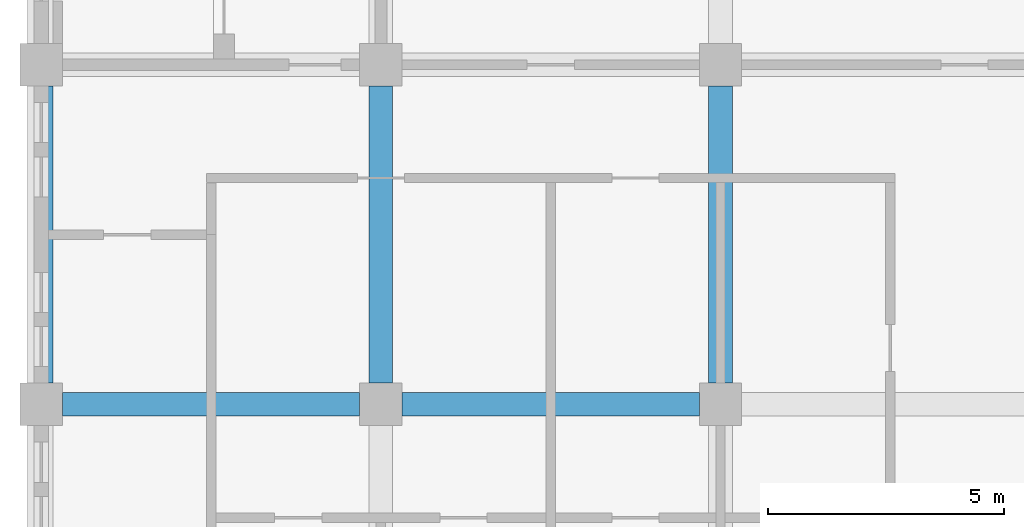
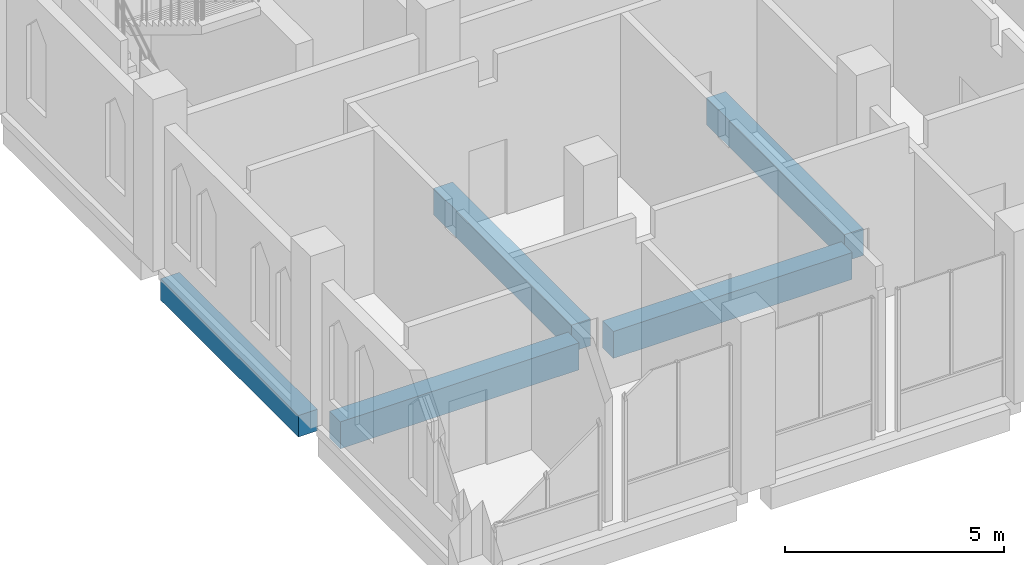
# One storey, part 9 of 30: 5 beams.
"""IFC4 building model written with IfcOpenShell, lengths in metres."""

from ifc_helpers import new_model, si_unit, direction, frame, origin, origin_2d, place, context, subcontext, project, spatial, rectangle, extrude, material, material_profile, profile_set, type_object, element, save


model = new_model("IFC4")

# Units and contexts
model_context = context("Model", 3, precision=1e-05, world=origin(), true_north=direction((0.0, 1.0)))
body_context = subcontext(model_context, "Body", "Model", "MODEL_VIEW")
ifc_project = project(units=[si_unit("LENGTHUNIT", "METRE"), si_unit("AREAUNIT", "SQUARE_METRE"), si_unit("VOLUMEUNIT", "CUBIC_METRE"), si_unit("PLANEANGLEUNIT", "RADIAN"), si_unit("MASSUNIT", "GRAM", prefix="KILO")], contexts=[model_context])

# Site, building, storey
site_placement = place(None, origin())
site = spatial("IfcSite", under=ifc_project, at=site_placement, CompositionType="ELEMENT")
building_placement = place(site_placement, origin())
building = spatial("IfcBuilding", under=site, at=building_placement, Name="Silangan Lancet Faculty of Sciences", CompositionType="ELEMENT")
storey_placement = place(building_placement, frame((0.0, 0.0, 31.199951171875)))
storey = spatial("IfcBuildingStorey", under=building, at=storey_placement, Name="L06", CompositionType="ELEMENT", Elevation=31.199951171875)

# Beams
ifc_material_1 = material(Name="Concrete C40/50", Category="concrete")
ifc_material_profile_1 = material_profile(ifc_material_1, rectangle(XDim=0.5, YDim=0.60009765625, at=origin_2d()), Name="RC 500x600")
ifc_profile_set_1 = profile_set([ifc_material_profile_1], Name="Concrete C40/50")
beam_type_1 = type_object("IfcBeamType", Name="BEAM RC 500x600", PredefinedType="BEAM", material=ifc_profile_set_1)
beam_placement = place(storey_placement, frame((0.0, 43.64990234375, -0.550048828125), z_axis=(0.0, 1.0, 0.0), x_axis=(-1.0, 0.0, 0.0)))
element("IfcBeam", 1, at=beam_placement, inside=storey, type_object=beam_type_1, Name="BM-L06-1G-1H", PredefinedType="BEAM", context=body_context, shape_type="SweptSolid", body=[
    extrude(rectangle(XDim=0.5, YDim=0.60009765625, at=origin_2d()), origin(), (0.0, 0.0, 1.0), 6.300048828125),
])
ifc_material_2 = material(Name="Concrete C40/50", Category="concrete")
ifc_material_profile_2 = material_profile(ifc_material_2, rectangle(XDim=0.5, YDim=0.75, at=origin_2d()), Name="RC 500x750")
ifc_profile_set_2 = profile_set([ifc_material_profile_2], Name="Concrete C40/50")
beam_type_2 = type_object("IfcBeamType", Name="BEAM RC 500x750", PredefinedType="BEAM", material=ifc_profile_set_2)
for number, where, z_axis, x_axis, name in (
    (2, (0.449951171875, 43.199951171875, -0.625), (1.0, 0.0, 0.0), (0.0, 1.0, 0.0), "BM-L06-1G-2G"),
    (3, (7.64990234375, 43.199951171875, -0.625), (1.0, 0.0, 0.0), (0.0, 1.0, 0.0), "BM-L06-2G-3G"),
    (4, (7.199951171875, 43.64990234375, -0.625), (0.0, 1.0, 0.0), (-1.0, 0.0, 0.0), "BM-L06-2G-2H"),
    (5, (14.39990234375, 43.64990234375, -0.625), (0.0, 1.0, 0.0), (-1.0, 0.0, 0.0), "BM-L06-3G-3H"),
):
    element("IfcBeam", number, at=place(storey_placement, frame(where, z_axis=z_axis, x_axis=x_axis)), inside=storey, type_object=beam_type_2, Name=name, PredefinedType="BEAM", context=body_context, shape_type="SweptSolid", body=[
        extrude(rectangle(XDim=0.5, YDim=0.75, at=origin_2d()), origin(), (0.0, 0.0, 1.0), 6.300048828125),
    ])

save(model, "model.ifc")
